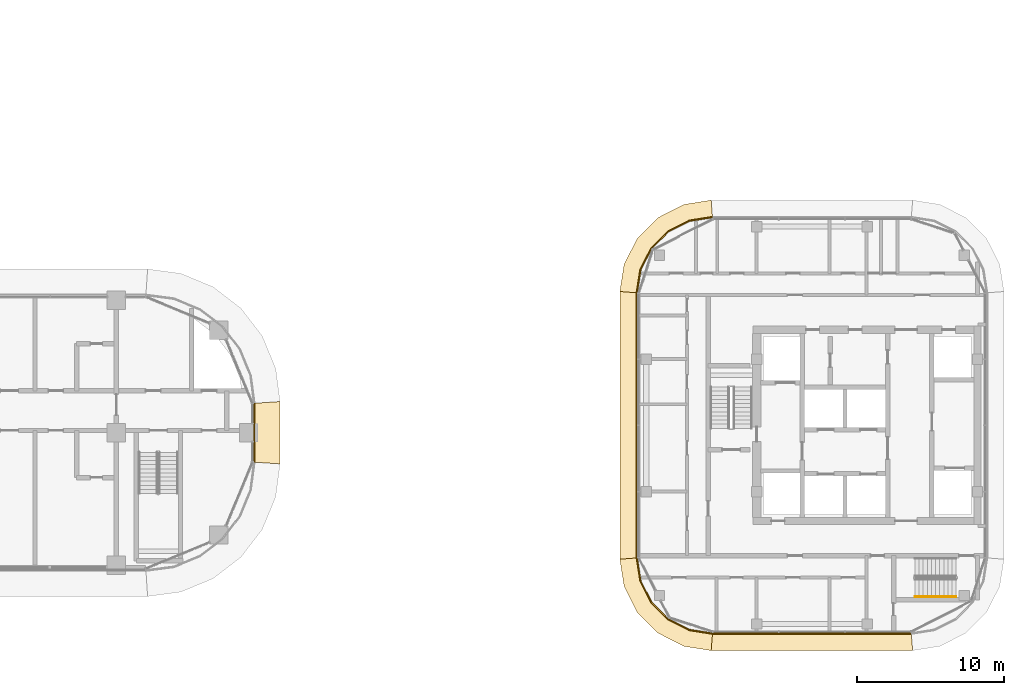
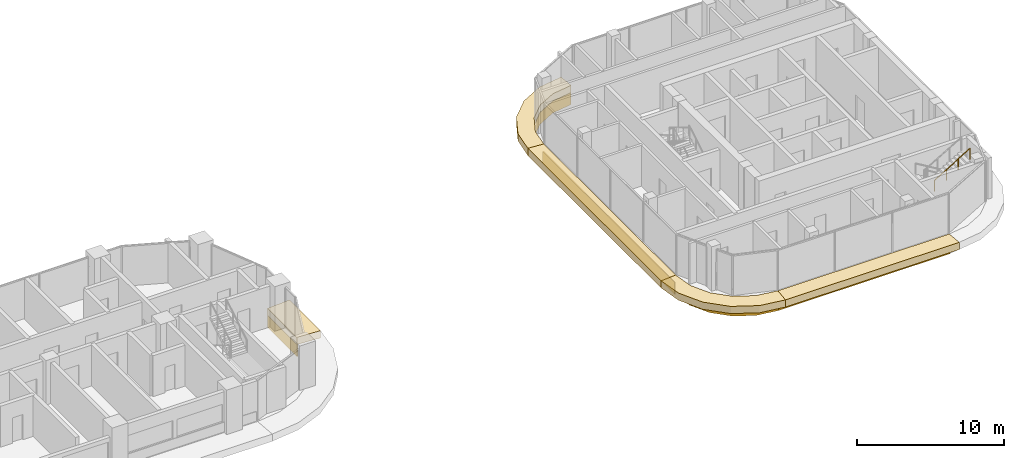
# One storey, part 31 of 33: 10 coverings, 1 railing.
"""IFC4 building model written with IfcOpenShell, lengths in metres."""

from ifc_helpers import new_model, si_unit, direction, frame, origin, origin_2d, place, context, subcontext, project, spatial, polyline, circle, outline, extrude, material, layer, layer_set, type_object, element, save


model = new_model("IFC4")

# Units and contexts
model_context = context("Model", 3, precision=1e-05, world=origin(), true_north=direction((0.0, 1.0)))
body_context = subcontext(model_context, "Body", "Model", "MODEL_VIEW")
ifc_project = project(units=[si_unit("LENGTHUNIT", "METRE"), si_unit("AREAUNIT", "SQUARE_METRE"), si_unit("VOLUMEUNIT", "CUBIC_METRE"), si_unit("PLANEANGLEUNIT", "RADIAN"), si_unit("MASSUNIT", "GRAM", prefix="KILO")], contexts=[model_context])

# Site, building, storey
site_placement = place(None, origin())
site = spatial("IfcSite", under=ifc_project, at=site_placement, CompositionType="ELEMENT")
building_placement = place(site_placement, origin())
building = spatial("IfcBuilding", under=site, at=building_placement, Name="Ogive Portal Towers", CompositionType="ELEMENT")
storey_placement = place(building_placement, frame((0.0, 0.0, 98.199951171875)))
storey = spatial("IfcBuildingStorey", under=building, at=storey_placement, Name="L23", CompositionType="ELEMENT", Elevation=98.199951171875)

# Railing
ifc_material_1 = material(Name="Stainless steel handrail", Category="steel")
railing_type = type_object("IfcRailingType", Name="INT-HANDRAIL", PredefinedType="HANDRAIL", material=ifc_material_1)
railing_placement = place(storey_placement, frame((139.75, 19.35009765625, 2.018310546875)))
element("IfcRailing", 1, at=railing_placement, inside=storey, type_object=railing_type, Name="L23 ST-B2 stair handrail 2", PredefinedType="HANDRAIL", context=body_context, shape_type="SweptSolid", body=[
    extrude(circle(Radius=0.02392578125, at=origin_2d()), frame((0.0, 0.0, 0.8759765625), z_axis=(0.857275202839, 0.0, 0.514858452973), x_axis=(0.0, 1.0, 0.0)), (0.0, 0.0, 1.0), 3.26611328125),
    extrude(circle(Radius=0.02099609375, at=origin_2d()), origin(), (0.0, 0.0, 1.0), 0.851806640625),
    extrude(circle(Radius=0.02099609375, at=origin_2d()), frame((0.933349609375, 0.0, 0.560546875)), (0.0, 0.0, 1.0), 0.851806640625),
    extrude(circle(Radius=0.02099609375, at=origin_2d()), frame((1.86669921875, 0.0, 1.12109375)), (0.0, 0.0, 1.0), 0.851806640625),
    extrude(circle(Radius=0.02099609375, at=origin_2d()), frame((2.800048828125, 0.0, 1.681640625)), (0.0, 0.0, 1.0), 0.851806640625),
])

# Coverings
ifc_material_2 = material(Name="Limestone cladding on lightweight block wall", Category="masonry")
ifc_layer_1 = layer(ifc_material_2, 0.080078125)
ifc_layer_set_1 = layer_set([ifc_layer_1], Name="STONE SPANDREL 80")
covering_type_1 = type_object("IfcCoveringType", Name="STONE SPANDREL 80", PredefinedType="CLADDING", material=ifc_layer_set_1)
covering_1_placement = place(storey_placement, frame((0.0, 0.0, -1.599853515625)))
element("IfcCovering", 2, at=covering_1_placement, inside=storey, type_object=covering_type_1, Name="Stone spandrel A1-F14", PredefinedType="CLADDING", context=body_context, shape_type="SweptSolid", body=[
    extrude(outline(polyline([(94.820068359375, 28.5), (94.820068359375, 32.5), (94.89990234375, 32.505126953125), (94.89990234375, 28.494873046875), (94.820068359375, 28.5)])), origin(), (0.0, 0.0, 1.0), 1.0),
])
covering_2_placement = place(storey_placement, frame((0.0, 0.0, -1.599853515625)))
element("IfcCovering", 3, at=covering_2_placement, inside=storey, type_object=covering_type_1, Name="Stone spandrel B1-F01", PredefinedType="CLADDING", context=body_context, shape_type="SweptSolid", body=[
    extrude(outline(polyline([(120.89990234375, 22.0), (121.149658203125, 20.424072265625), (121.8740234375, 19.002197265625), (123.002197265625, 17.8740234375), (124.424072265625, 17.149658203125), (126.0, 16.89990234375), (125.99365234375, 16.820068359375), (124.39892578125, 17.072509765625), (122.95458984375, 17.80859375), (121.80859375, 18.95458984375), (121.072509765625, 20.39892578125), (120.820068359375, 21.99365234375), (120.89990234375, 22.0)])), origin(), (0.0, 0.0, 1.0), 1.0),
])
covering_3_placement = place(storey_placement, frame((0.0, 0.0, -1.599853515625)))
element("IfcCovering", 4, at=covering_3_placement, inside=storey, type_object=covering_type_1, Name="Stone spandrel B1-F02", PredefinedType="CLADDING", context=body_context, shape_type="SweptSolid", body=[
    extrude(outline(polyline([(126.0, 16.89990234375), (139.5, 16.89990234375), (139.50634765625, 16.820068359375), (125.99365234375, 16.820068359375), (126.0, 16.89990234375)])), origin(), (0.0, 0.0, 1.0), 1.0),
])
covering_4_placement = place(storey_placement, frame((0.0, 0.0, -1.599853515625)))
element("IfcCovering", 5, at=covering_4_placement, inside=storey, type_object=covering_type_1, Name="Stone spandrel B1-F07", PredefinedType="CLADDING", context=body_context, shape_type="SweptSolid", body=[
    extrude(outline(polyline([(126.0, 45.10009765625), (124.424072265625, 44.850341796875), (123.002197265625, 44.1259765625), (121.8740234375, 42.997802734375), (121.149658203125, 41.575927734375), (120.89990234375, 40.0), (120.820068359375, 40.00634765625), (121.072509765625, 41.60107421875), (121.80859375, 43.04541015625), (122.95458984375, 44.19140625), (124.39892578125, 44.927490234375), (125.99365234375, 45.179931640625), (126.0, 45.10009765625)])), origin(), (0.0, 0.0, 1.0), 1.0),
])
covering_5_placement = place(storey_placement, frame((0.0, 0.0, -1.599853515625)))
element("IfcCovering", 6, at=covering_5_placement, inside=storey, type_object=covering_type_1, Name="Stone spandrel B1-F08", PredefinedType="CLADDING", context=body_context, shape_type="SweptSolid", body=[
    extrude(outline(polyline([(120.89990234375, 40.0), (120.89990234375, 22.0), (120.820068359375, 21.99365234375), (120.820068359375, 40.00634765625), (120.89990234375, 40.0)])), origin(), (0.0, 0.0, 1.0), 1.0),
])
ifc_layer_2 = layer(ifc_material_2, 0.60009765625)
ifc_layer_set_2 = layer_set([ifc_layer_2], Name="SUNSHADE LIP 600")
covering_type_2 = type_object("IfcCoveringType", Name="SUNSHADE LIP 600", PredefinedType="CLADDING", material=ifc_layer_set_2)
covering_6_placement = place(storey_placement, frame((0.0, 0.0, -0.599853515625)))
element("IfcCovering", 7, at=covering_6_placement, inside=storey, type_object=covering_type_2, Name="Sunshade lip A1-F14", PredefinedType="CLADDING", context=body_context, shape_type="SweptSolid", body=[
    extrude(outline(polyline([(94.820068359375, 28.5), (94.820068359375, 32.5), (96.6201171875, 32.617919921875), (96.6201171875, 28.382080078125), (94.820068359375, 28.5)])), origin(), (0.0, 0.0, 1.0), 0.599853515625),
])
covering_7_placement = place(storey_placement, frame((0.0, 0.0, -0.599853515625)))
element("IfcCovering", 8, at=covering_7_placement, inside=storey, type_object=covering_type_2, Name="Sunshade lip B1-F01", PredefinedType="CLADDING", context=body_context, shape_type="SweptSolid", body=[
    extrude(outline(polyline([(120.89990234375, 22.0), (121.149658203125, 20.424072265625), (121.8740234375, 19.002197265625), (123.002197265625, 17.8740234375), (124.424072265625, 17.149658203125), (126.0, 16.89990234375), (125.905517578125, 15.699951171875), (124.048583984375, 15.994140625), (122.2880859375, 16.89111328125), (120.89111328125, 18.2880859375), (119.994140625, 20.048583984375), (119.699951171875, 21.905517578125), (120.89990234375, 22.0)])), origin(), (0.0, 0.0, 1.0), 0.599853515625),
])
covering_8_placement = place(storey_placement, frame((0.0, 0.0, -0.599853515625)))
element("IfcCovering", 9, at=covering_8_placement, inside=storey, type_object=covering_type_2, Name="Sunshade lip B1-F02", PredefinedType="CLADDING", context=body_context, shape_type="SweptSolid", body=[
    extrude(outline(polyline([(126.0, 16.89990234375), (139.5, 16.89990234375), (139.594482421875, 15.699951171875), (125.905517578125, 15.699951171875), (126.0, 16.89990234375)])), origin(), (0.0, 0.0, 1.0), 0.599853515625),
])
covering_9_placement = place(storey_placement, frame((0.0, 0.0, -0.599853515625)))
element("IfcCovering", 10, at=covering_9_placement, inside=storey, type_object=covering_type_2, Name="Sunshade lip B1-F07", PredefinedType="CLADDING", context=body_context, shape_type="SweptSolid", body=[
    extrude(outline(polyline([(126.0, 45.10009765625), (124.424072265625, 44.850341796875), (123.002197265625, 44.1259765625), (121.8740234375, 42.997802734375), (121.149658203125, 41.575927734375), (120.89990234375, 40.0), (119.699951171875, 40.094482421875), (119.994140625, 41.951416015625), (120.89111328125, 43.7119140625), (122.2880859375, 45.10888671875), (124.048583984375, 46.005859375), (125.905517578125, 46.300048828125), (126.0, 45.10009765625)])), origin(), (0.0, 0.0, 1.0), 0.599853515625),
])
covering_10_placement = place(storey_placement, frame((0.0, 0.0, -0.599853515625)))
element("IfcCovering", 11, at=covering_10_placement, inside=storey, type_object=covering_type_2, Name="Sunshade lip B1-F08", PredefinedType="CLADDING", context=body_context, shape_type="SweptSolid", body=[
    extrude(outline(polyline([(120.89990234375, 40.0), (120.89990234375, 22.0), (119.699951171875, 21.905517578125), (119.699951171875, 40.094482421875), (120.89990234375, 40.0)])), origin(), (0.0, 0.0, 1.0), 0.599853515625),
])

save(model, "model.ifc")
